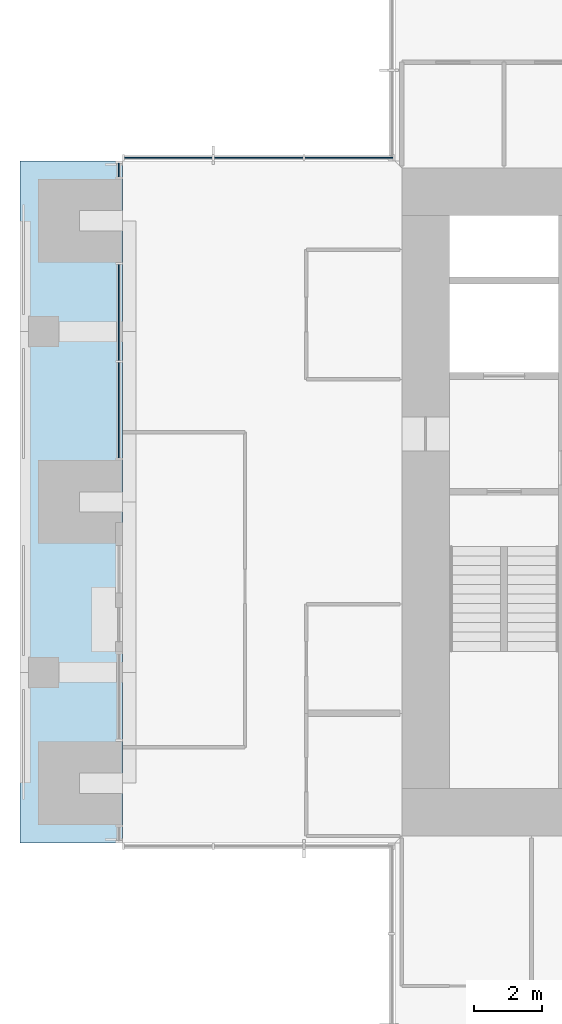
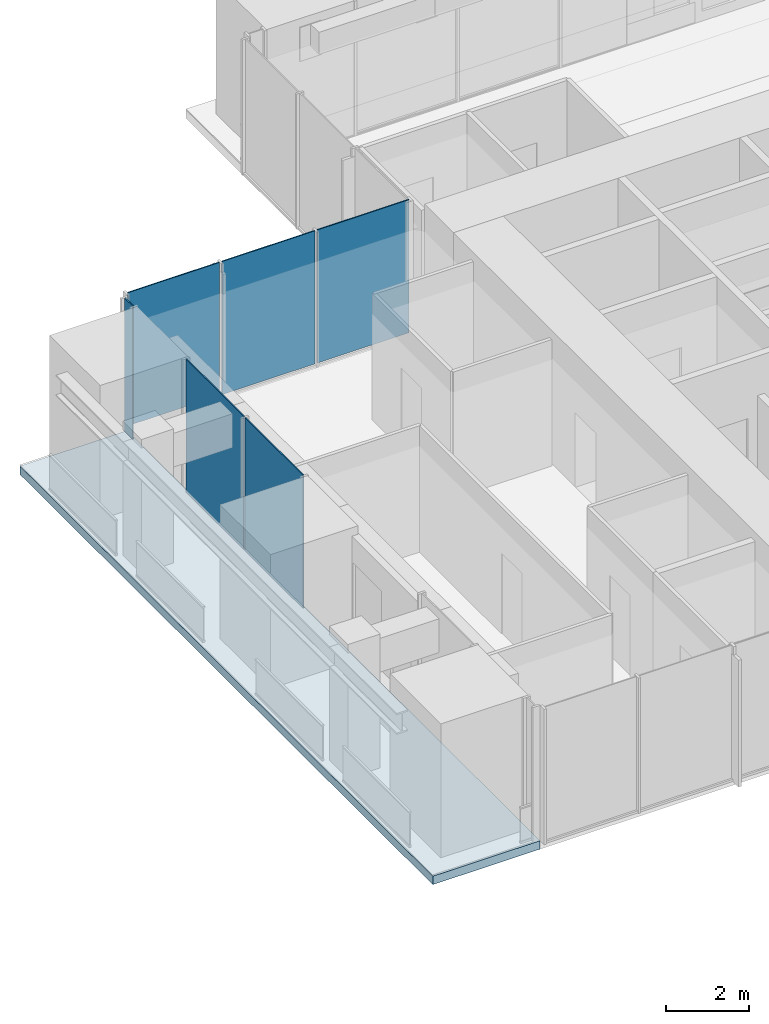
# One storey, part 8 of 17: 6 plates, 1 slab, 3 elements without a shape of their own.
"""IFC4 building model written with IfcOpenShell, lengths in metres."""

from ifc_helpers import new_model, si_unit, direction, frame, origin, origin_2d, place, context, subcontext, project, spatial, polyline, rectangle, outline, extrude, material, layer, layer_set, type_object, element, aggregate, save


model = new_model("IFC4")

# Units and contexts
model_context = context("Model", 3, precision=1e-05, world=origin(), true_north=direction((0.0, 1.0)))
body_context = subcontext(model_context, "Body", "Model", "MODEL_VIEW")
ifc_project = project(units=[si_unit("LENGTHUNIT", "METRE"), si_unit("AREAUNIT", "SQUARE_METRE"), si_unit("VOLUMEUNIT", "CUBIC_METRE"), si_unit("PLANEANGLEUNIT", "RADIAN"), si_unit("MASSUNIT", "GRAM", prefix="KILO")], contexts=[model_context])

# Site, building, storey
site_placement = place(None, origin())
site = spatial("IfcSite", under=ifc_project, at=site_placement, CompositionType="ELEMENT")
building_placement = place(site_placement, origin())
building = spatial("IfcBuilding", under=site, at=building_placement, Name="Svetlomir Tower", CompositionType="ELEMENT")
storey_placement = place(building_placement, frame((0.0, 0.0, 202.5)))
storey = spatial("IfcBuildingStorey", under=building, at=storey_placement, Name="L48", CompositionType="ELEMENT", Elevation=202.5)

# Curtain wall, plates
ifc_material_1 = material(Name="Bronze anodised aluminium curtain wall", Category="aluminium")
curtain_wall_type = type_object("IfcCurtainWallType", Name="CURTAIN WALL CW1 TOWER OFFICE", PredefinedType="NOTDEFINED", material=ifc_material_1)
curtain_wall_1_placement = place(storey_placement, origin())
curtain_wall_1 = element("IfcCurtainWall", 1, at=curtain_wall_1_placement, inside=storey, type_object=curtain_wall_type, Name="Curtain wall CW1 L48", PredefinedType="NOTDEFINED")
ifc_material_2 = material(Name="Tinted double glazed unit", Category="glass")
ifc_layer_1 = layer(ifc_material_2, 0.031982421875)
ifc_layer_set_1 = layer_set([ifc_layer_1], Name="Tinted double glazed unit")
plate_type = type_object("IfcPlateType", Name="CW1 GLAZED PANEL 32", PredefinedType="CURTAIN_PANEL", material=ifc_layer_set_1)
plate_1_placement = place(storey_placement, frame((9.650390625, 31.10009765625, 0.06494140625), z_axis=(0.0, 0.0, 1.0), x_axis=(-1.0, 0.0, 0.0)))
plate_1 = element("IfcPlate", 2, at=plate_1_placement, type_object=plate_type, Name="CW1 panel 1.1", PredefinedType="CURTAIN_PANEL", context=body_context, shape_type="SweptSolid", body=[
    extrude(rectangle(XDim=2.569091796875, YDim=0.031982421875, at=origin_2d()), origin(), (0.0, 0.0, 1.0), 3.93505859375),
])
plate_2_placement = place(storey_placement, frame((7.0, 31.10009765625, 0.06494140625), z_axis=(0.0, 0.0, 1.0), x_axis=(-1.0, 0.0, 0.0)))
plate_2 = element("IfcPlate", 3, at=plate_2_placement, type_object=plate_type, Name="CW1 panel 2.1", PredefinedType="CURTAIN_PANEL", context=body_context, shape_type="SweptSolid", body=[
    extrude(rectangle(XDim=2.6015625, YDim=0.031982421875, at=origin_2d()), origin(), (0.0, 0.0, 1.0), 3.93505859375),
])
plate_3_placement = place(storey_placement, frame((4.349609375, 31.10009765625, 0.06494140625), z_axis=(0.0, 0.0, 1.0), x_axis=(-1.0, 0.0, 0.0)))
plate_3 = element("IfcPlate", 4, at=plate_3_placement, type_object=plate_type, Name="CW1 panel 3.1", PredefinedType="CURTAIN_PANEL", context=body_context, shape_type="SweptSolid", body=[
    extrude(rectangle(XDim=2.569091796875, YDim=0.031982421875, at=origin_2d()), origin(), (0.0, 0.0, 1.0), 3.93505859375),
])
aggregate(curtain_wall_1, [plate_1, plate_2, plate_3])

# Curtain wall, plate
curtain_wall_2_placement = place(storey_placement, origin())
curtain_wall_2 = element("IfcCurtainWall", 5, at=curtain_wall_2_placement, inside=storey, type_object=curtain_wall_type, Name="Curtain wall CW1 L48", PredefinedType="NOTDEFINED")
plate_4_placement = place(storey_placement, frame((2.89990234375, 30.737548828125, 0.06494140625), z_axis=(0.0, 0.0, 1.0), x_axis=(0.0, -1.0, 0.0)))
plate_4 = element("IfcPlate", 6, at=plate_4_placement, type_object=plate_type, Name="CW1 panel 1.1", PredefinedType="CURTAIN_PANEL", context=body_context, shape_type="SweptSolid", body=[
    extrude(rectangle(XDim=0.39501953125, YDim=0.031982421875, at=origin_2d()), origin(), (0.0, 0.0, 1.0), 3.93505859375),
])
aggregate(curtain_wall_2, [plate_4])

# Curtain wall, plates
curtain_wall_3_placement = place(storey_placement, origin())
curtain_wall_3 = element("IfcCurtainWall", 7, at=curtain_wall_3_placement, inside=storey, type_object=curtain_wall_type, Name="Curtain wall CW1 L48", PredefinedType="NOTDEFINED")
plate_5_placement = place(storey_placement, frame((2.89990234375, 26.558837890625, 0.06494140625), z_axis=(0.0, 0.0, 1.0), x_axis=(0.0, -1.0, 0.0)))
plate_5 = element("IfcPlate", 8, at=plate_5_placement, type_object=plate_type, Name="CW1 panel 1.1", PredefinedType="CURTAIN_PANEL", context=body_context, shape_type="SweptSolid", body=[
    extrude(rectangle(XDim=2.802490234375, YDim=0.031982421875, at=origin_2d()), origin(), (0.0, 0.0, 1.0), 3.93505859375),
])
plate_6_placement = place(storey_placement, frame((2.89990234375, 23.691162109375, 0.06494140625), z_axis=(0.0, 0.0, 1.0), x_axis=(0.0, -1.0, 0.0)))
plate_6 = element("IfcPlate", 9, at=plate_6_placement, type_object=plate_type, Name="CW1 panel 2.1", PredefinedType="CURTAIN_PANEL", context=body_context, shape_type="SweptSolid", body=[
    extrude(rectangle(XDim=2.802490234375, YDim=0.031982421875, at=origin_2d()), origin(), (0.0, 0.0, 1.0), 3.93505859375),
])
aggregate(curtain_wall_3, [plate_5, plate_6])

# Slab
ifc_material_3 = material(Name="Concrete C60/75", Category="concrete")
ifc_layer_2 = layer(ifc_material_3, 0.25)
ifc_layer_set_2 = layer_set([ifc_layer_2], Name="Concrete C60/75")
slab_type = type_object("IfcSlabType", Name="PLANTED LOGGIA SLAB 250", PredefinedType="FLOOR", material=ifc_layer_set_2)
slab_placement = place(storey_placement, frame((0.0, 0.0, -0.25)))
element("IfcSlab", 10, at=slab_placement, inside=storey, type_object=slab_type, Name="L48 W planted loggia", PredefinedType="FLOOR", context=body_context, shape_type="SweptSolid", body=[
    extrude(outline(polyline([(0.0, 11.0), (3.0, 11.0), (3.0, 31.0), (0.0, 31.0), (0.0, 11.0)])), origin(), (0.0, 0.0, 1.0), 0.25),
])

save(model, "model.ifc")
